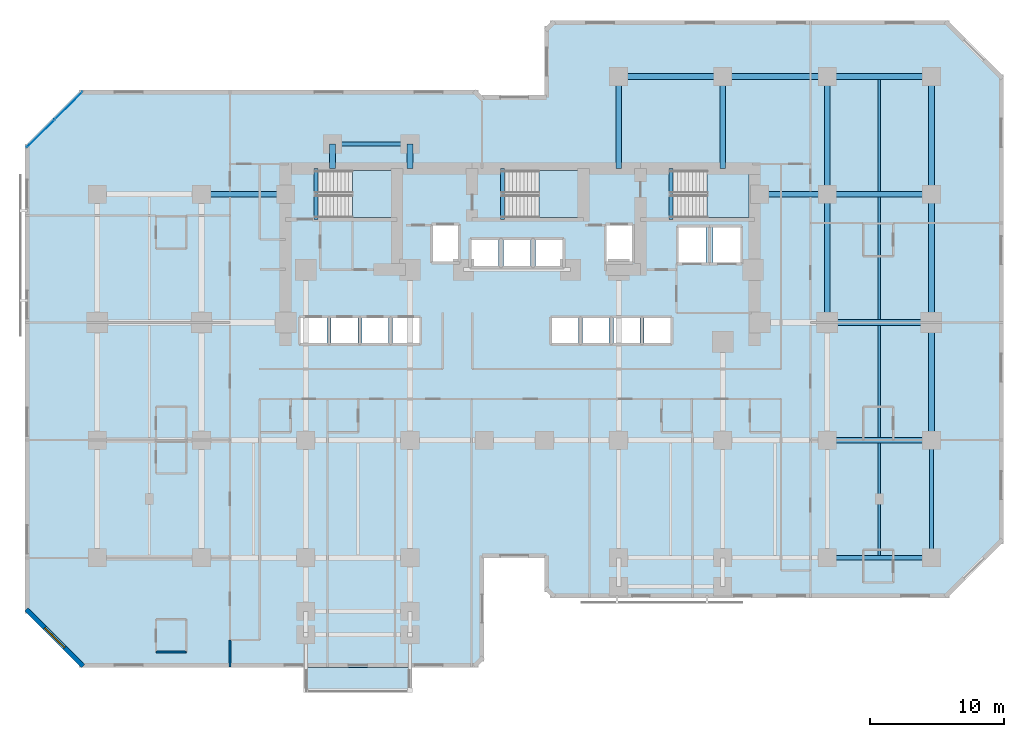
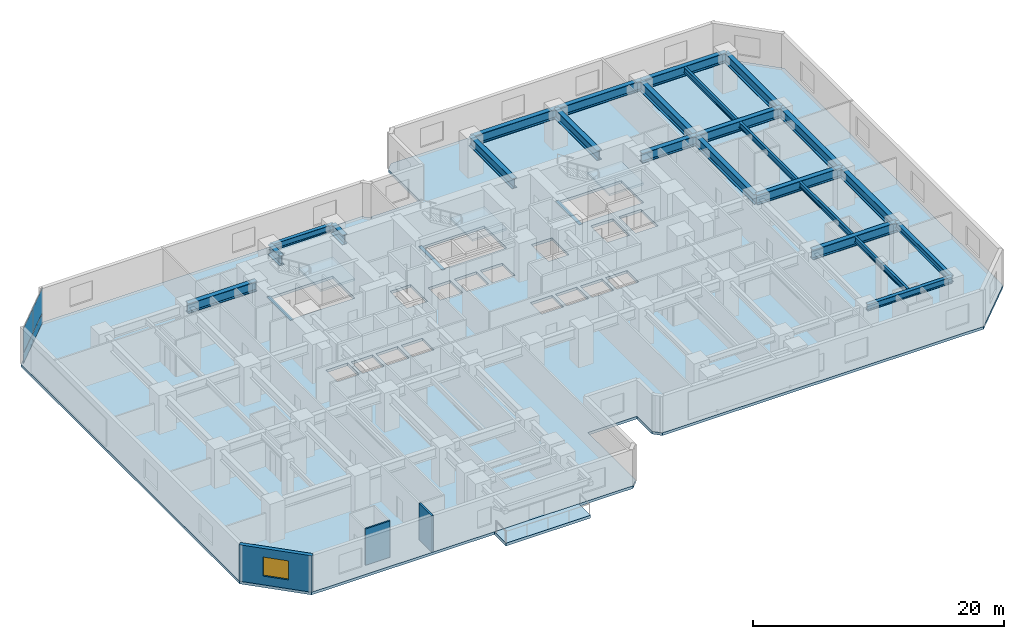
# One storey, part 4 of 12: 27 beams, 5 slabs, 4 plates, 3 walls, 1 window, 1 opening, 4 elements without a shape of their own.
"""IFC4 building model written with IfcOpenShell, lengths in metres."""

from ifc_helpers import new_model, si_unit, direction, frame, frame_2d, origin, origin_2d, place, context, subcontext, project, spatial, polyline, rectangle, i_section, outline, extrude, material, layer, layer_set, material_profile, profile_set, type_object, element, fill, aggregate, save


model = new_model("IFC4")

# Units and contexts
model_context = context("Model", 3, precision=1e-05, world=origin(), true_north=direction((0.0, 1.0)))
body_context = subcontext(model_context, "Body", "Model", "MODEL_VIEW")
ifc_project = project(units=[si_unit("LENGTHUNIT", "METRE"), si_unit("AREAUNIT", "SQUARE_METRE"), si_unit("VOLUMEUNIT", "CUBIC_METRE"), si_unit("PLANEANGLEUNIT", "RADIAN"), si_unit("MASSUNIT", "GRAM", prefix="KILO")], contexts=[model_context])

# Site, building, storey
site_placement = place(None, origin())
site = spatial("IfcSite", under=ifc_project, at=site_placement, CompositionType="ELEMENT")
building_placement = place(site_placement, origin())
building = spatial("IfcBuilding", under=site, at=building_placement, Name="Kestravale Grand Hotel", CompositionType="ELEMENT")
storey_placement = place(building_placement, frame((0.0, 0.0, 64.0)))
storey = spatial("IfcBuildingStorey", under=building, at=storey_placement, Name="L15", CompositionType="ELEMENT", Elevation=64.0)

# Beams
ifc_material_1 = material(Name="Steel ASTM A992 Grade 50", Category="steel")
ifc_material_profile_1 = material_profile(ifc_material_1, i_section(OverallWidth=0.2099609375, OverallDepth=0.535888671875, WebThickness=0.010986328125, FlangeThickness=0.017333984375, FilletRadius=0.017578125, at=origin_2d()))
ifc_profile_set_1 = profile_set([ifc_material_profile_1], Name="Steel ASTM A992 Grade 50")
beam_type_1 = type_object("IfcBeamType", Name="B-FLR-JST21", PredefinedType="JOIST", material=ifc_profile_set_1)
beam_1_placement = place(storey_placement, frame((66.300048828125, 11.362548828125, 3.27197265625), z_axis=(0.0, 1.0, 0.0), x_axis=(-1.0, 0.0, 0.0)))
element("IfcBeam", 1, at=beam_1_placement, inside=storey, type_object=beam_type_1, Name="L15 floor joist 10-11/C-D #1", PredefinedType="JOIST", context=body_context, shape_type="SweptSolid", body=[
    extrude(i_section(OverallWidth=0.2099609375, OverallDepth=0.535888671875, WebThickness=0.010986328125, FlangeThickness=0.017333984375, FilletRadius=0.017578125, at=origin_2d()), origin(), (0.0, 0.0, 1.0), 8.425537109375),
])
beam_2_placement = place(storey_placement, frame((66.300048828125, 20.2119140625, 3.27197265625), z_axis=(0.0, 1.0, 0.0), x_axis=(-1.0, 0.0, 0.0)))
element("IfcBeam", 2, at=beam_2_placement, inside=storey, type_object=beam_type_1, Name="L15 floor joist 10-11/D-E #1", PredefinedType="JOIST", context=body_context, shape_type="SweptSolid", body=[
    extrude(i_section(OverallWidth=0.2099609375, OverallDepth=0.535888671875, WebThickness=0.010986328125, FlangeThickness=0.017333984375, FilletRadius=0.017578125, at=origin_2d()), origin(), (0.0, 0.0, 1.0), 8.3759765625),
])
beam_3_placement = place(storey_placement, frame((66.300048828125, 29.011962890625, 3.27197265625), z_axis=(0.0, 1.0, 0.0), x_axis=(-1.0, 0.0, 0.0)))
element("IfcBeam", 3, at=beam_3_placement, inside=storey, type_object=beam_type_1, Name="L15 floor joist 10-11/E-F #1", PredefinedType="JOIST", context=body_context, shape_type="SweptSolid", body=[
    extrude(i_section(OverallWidth=0.2099609375, OverallDepth=0.535888671875, WebThickness=0.010986328125, FlangeThickness=0.017333984375, FilletRadius=0.017578125, at=origin_2d()), origin(), (0.0, 0.0, 1.0), 9.176025390625),
])
beam_4_placement = place(storey_placement, frame((66.300048828125, 38.612060546875, 3.27197265625), z_axis=(0.0, 1.0, 0.0), x_axis=(-1.0, 0.0, 0.0)))
element("IfcBeam", 4, at=beam_4_placement, inside=storey, type_object=beam_type_1, Name="L15 floor joist 10-11/F-G #1", PredefinedType="JOIST", context=body_context, shape_type="SweptSolid", body=[
    extrude(i_section(OverallWidth=0.2099609375, OverallDepth=0.535888671875, WebThickness=0.010986328125, FlangeThickness=0.017333984375, FilletRadius=0.017578125, at=origin_2d()), origin(), (0.0, 0.0, 1.0), 8.3759765625),
])
ifc_material_2 = material(Name="Concrete f'c 45 MPa", Category="concrete")
ifc_material_profile_2 = material_profile(ifc_material_2, rectangle(XDim=0.300048828125, YDim=0.39990234375, at=origin_2d()))
ifc_profile_set_2 = profile_set([ifc_material_profile_2], Name="Concrete f'c 45 MPa")
beam_type_2 = type_object("IfcBeamType", Name="B-FLR-LNT400", PredefinedType="LINTEL", material=ifc_profile_set_2)
for number, where, z_axis, x_axis, name in (
    (5, (24.159912109375, 36.52001953125, -0.199951171875), (0.0, 1.0, 0.0), (-1.0, 0.0, 0.0), "L15 ST1 flight bottom header beam"),
    (6, (38.110107421875, 36.52001953125, -0.199951171875), (0.0, 1.0, 0.0), (-1.0, 0.0, 0.0), "L15 ST2 flight bottom header beam"),
    (7, (50.7099609375, 36.52001953125, -0.199951171875), (0.0, 1.0, 0.0), (-1.0, 0.0, 0.0), "L15 ST3 flight bottom header beam"),
):
    element("IfcBeam", number, at=place(storey_placement, frame(where, z_axis=z_axis, x_axis=x_axis)), inside=storey, type_object=beam_type_2, Name=name, PredefinedType="LINTEL", context=body_context, shape_type="SweptSolid", body=[
        extrude(rectangle(XDim=0.300048828125, YDim=0.39990234375, at=origin_2d()), origin(), (0.0, 0.0, 1.0), 3.800048828125),
    ])
ifc_material_3 = material(Name="Steel ASTM A992 Grade 50", Category="steel")
ifc_material_profile_3 = material_profile(ifc_material_3, i_section(OverallWidth=0.324951171875, OverallDepth=0.612060546875, WebThickness=0.0126953125, FlangeThickness=0.01904296875, FilletRadius=0.018798828125, at=origin_2d()))
ifc_profile_set_3 = profile_set([ifc_material_profile_3], Name="Steel ASTM A992 Grade 50")
beam_type_3 = type_object("IfcBeamType", Name="B-FLR-W24A", PredefinedType="SPANDREL", material=ifc_profile_set_3)
beam_5_placement = place(storey_placement, frame((62.39990234375, 11.199951171875, 3.23388671875), z_axis=(1.0, 0.0, 0.0), x_axis=(0.0, 1.0, 0.0)))
element("IfcBeam", 8, at=beam_5_placement, inside=storey, type_object=beam_type_3, Name="L15 spandrel C:10-11", PredefinedType="SPANDREL", context=body_context, shape_type="SweptSolid", body=[
    extrude(i_section(OverallWidth=0.324951171875, OverallDepth=0.612060546875, WebThickness=0.0126953125, FlangeThickness=0.01904296875, FilletRadius=0.018798828125, at=origin_2d()), origin(), (0.0, 0.0, 1.0), 7.800048828125),
])
beam_6_placement = place(storey_placement, frame((25.39990234375, 42.14990234375, 3.23388671875), z_axis=(1.0, 0.0, 0.0), x_axis=(0.0, 1.0, 0.0)))
element("IfcBeam", 9, at=beam_6_placement, inside=storey, type_object=beam_type_3, Name="L15 perimeter tie spandrel FN:4-5", PredefinedType="SPANDREL", context=body_context, shape_type="SweptSolid", body=[
    extrude(i_section(OverallWidth=0.324951171875, OverallDepth=0.612060546875, WebThickness=0.0126953125, FlangeThickness=0.01904296875, FilletRadius=0.018798828125, at=origin_2d()), origin(), (0.0, 0.0, 1.0), 5.800048828125),
])
beam_7_placement = place(storey_placement, frame((70.199951171875, 11.199951171875, 3.23388671875), z_axis=(0.0, 1.0, 0.0), x_axis=(-1.0, 0.0, 0.0)))
element("IfcBeam", 10, at=beam_7_placement, inside=storey, type_object=beam_type_3, Name="L15 spandrel 11:C-D", PredefinedType="SPANDREL", context=body_context, shape_type="SweptSolid", body=[
    extrude(i_section(OverallWidth=0.324951171875, OverallDepth=0.612060546875, WebThickness=0.0126953125, FlangeThickness=0.01904296875, FilletRadius=0.018798828125, at=origin_2d()), origin(), (0.0, 0.0, 1.0), 8.800048828125),
])
ifc_material_4 = material(Name="Steel ASTM A992 Grade 50", Category="steel")
ifc_material_profile_4 = material_profile(ifc_material_4, i_section(OverallWidth=0.424072265625, OverallDepth=0.947021484375, WebThickness=0.02392578125, FlangeThickness=0.042724609375, FilletRadius=0.0283203125, at=origin_2d()))
ifc_profile_set_4 = profile_set([ifc_material_profile_4], Name="Steel ASTM A992 Grade 50")
beam_type_4 = type_object("IfcBeamType", Name="B-GRD-W36", PredefinedType="BEAM", material=ifc_profile_set_4)
for number, where, z_axis, x_axis, name in (
    (11, (62.39990234375, 20.0, 3.06640625), (1.0, 0.0, 0.0), (0.0, 1.0, 0.0), "L15 girder D:10-11"),
    (12, (62.39990234375, 28.800048828125, 3.06640625), (1.0, 0.0, 0.0), (0.0, 1.0, 0.0), "L15 girder E:10-11"),
):
    element("IfcBeam", number, at=place(storey_placement, frame(where, z_axis=z_axis, x_axis=x_axis)), inside=storey, type_object=beam_type_4, Name=name, PredefinedType="BEAM", context=body_context, shape_type="SweptSolid", body=[
        extrude(i_section(OverallWidth=0.424072265625, OverallDepth=0.947021484375, WebThickness=0.02392578125, FlangeThickness=0.042724609375, FilletRadius=0.0283203125, at=origin_2d()), origin(), (0.0, 0.0, 1.0), 7.800048828125),
    ])
beam_8_placement = place(storey_placement, frame((15.60009765625, 38.39990234375, 3.06640625), z_axis=(1.0, 0.0, 0.0), x_axis=(0.0, 1.0, 0.0)))
element("IfcBeam", 13, at=beam_8_placement, inside=storey, type_object=beam_type_4, Name="L15 girder F:3-CW", PredefinedType="BEAM", context=body_context, shape_type="SweptSolid", body=[
    extrude(i_section(OverallWidth=0.424072265625, OverallDepth=0.947021484375, WebThickness=0.02392578125, FlangeThickness=0.042724609375, FilletRadius=0.0283203125, at=origin_2d()), origin(), (0.0, 0.0, 1.0), 6.2998046875),
])
beam_9_placement = place(storey_placement, frame((57.35009765625, 38.39990234375, 3.06640625), z_axis=(1.0, 0.0, 0.0), x_axis=(0.0, 1.0, 0.0)))
element("IfcBeam", 14, at=beam_9_placement, inside=storey, type_object=beam_type_4, Name="L15 girder F:CE-10", PredefinedType="BEAM", context=body_context, shape_type="SweptSolid", body=[
    extrude(i_section(OverallWidth=0.424072265625, OverallDepth=0.947021484375, WebThickness=0.02392578125, FlangeThickness=0.042724609375, FilletRadius=0.0283203125, at=origin_2d()), origin(), (0.0, 0.0, 1.0), 5.0498046875),
])
for number, where, z_axis, x_axis, name in (
    (15, (62.39990234375, 38.39990234375, 3.06640625), (1.0, 0.0, 0.0), (0.0, 1.0, 0.0), "L15 girder F:10-11"),
    (16, (46.800048828125, 47.199951171875, 3.06640625), (1.0, 0.0, 0.0), (0.0, 1.0, 0.0), "L15 girder G:8-9"),
):
    element("IfcBeam", number, at=place(storey_placement, frame(where, z_axis=z_axis, x_axis=x_axis)), inside=storey, type_object=beam_type_4, Name=name, PredefinedType="BEAM", context=body_context, shape_type="SweptSolid", body=[
        extrude(i_section(OverallWidth=0.424072265625, OverallDepth=0.947021484375, WebThickness=0.02392578125, FlangeThickness=0.042724609375, FilletRadius=0.0283203125, at=origin_2d()), origin(), (0.0, 0.0, 1.0), 7.800048828125),
    ])
beam_10_placement = place(storey_placement, frame((54.60009765625, 47.199951171875, 3.06640625), z_axis=(1.0, 0.0, 0.0), x_axis=(0.0, 1.0, 0.0)))
element("IfcBeam", 17, at=beam_10_placement, inside=storey, type_object=beam_type_4, Name="L15 girder G:9-10", PredefinedType="BEAM", context=body_context, shape_type="SweptSolid", body=[
    extrude(i_section(OverallWidth=0.424072265625, OverallDepth=0.947021484375, WebThickness=0.02392578125, FlangeThickness=0.042724609375, FilletRadius=0.0283203125, at=origin_2d()), origin(), (0.0, 0.0, 1.0), 7.7998046875),
])
beam_11_placement = place(storey_placement, frame((62.39990234375, 47.199951171875, 3.06640625), z_axis=(1.0, 0.0, 0.0), x_axis=(0.0, 1.0, 0.0)))
element("IfcBeam", 18, at=beam_11_placement, inside=storey, type_object=beam_type_4, Name="L15 girder G:10-11", PredefinedType="BEAM", context=body_context, shape_type="SweptSolid", body=[
    extrude(i_section(OverallWidth=0.424072265625, OverallDepth=0.947021484375, WebThickness=0.02392578125, FlangeThickness=0.042724609375, FilletRadius=0.0283203125, at=origin_2d()), origin(), (0.0, 0.0, 1.0), 7.800048828125),
])
beam_12_placement = place(storey_placement, frame((62.39990234375, 28.800048828125, 3.06640625), z_axis=(0.0, 1.0, 0.0), x_axis=(-1.0, 0.0, 0.0)))
element("IfcBeam", 19, at=beam_12_placement, inside=storey, type_object=beam_type_4, Name="L15 girder 10:E-F", PredefinedType="BEAM", context=body_context, shape_type="SweptSolid", body=[
    extrude(i_section(OverallWidth=0.424072265625, OverallDepth=0.947021484375, WebThickness=0.02392578125, FlangeThickness=0.042724609375, FilletRadius=0.0283203125, at=origin_2d()), origin(), (0.0, 0.0, 1.0), 9.599853515625),
])
for number, where, z_axis, x_axis, name in (
    (20, (62.39990234375, 38.39990234375, 3.06640625), (0.0, 1.0, 0.0), (-1.0, 0.0, 0.0), "L15 girder 10:F-G"),
    (21, (70.199951171875, 20.0, 3.06640625), (0.0, 1.0, 0.0), (-1.0, 0.0, 0.0), "L15 girder 11:D-E"),
):
    element("IfcBeam", number, at=place(storey_placement, frame(where, z_axis=z_axis, x_axis=x_axis)), inside=storey, type_object=beam_type_4, Name=name, PredefinedType="BEAM", context=body_context, shape_type="SweptSolid", body=[
        extrude(i_section(OverallWidth=0.424072265625, OverallDepth=0.947021484375, WebThickness=0.02392578125, FlangeThickness=0.042724609375, FilletRadius=0.0283203125, at=origin_2d()), origin(), (0.0, 0.0, 1.0), 8.800048828125),
    ])
beam_13_placement = place(storey_placement, frame((70.199951171875, 28.800048828125, 3.06640625), z_axis=(0.0, 1.0, 0.0), x_axis=(-1.0, 0.0, 0.0)))
element("IfcBeam", 22, at=beam_13_placement, inside=storey, type_object=beam_type_4, Name="L15 girder 11:E-F", PredefinedType="BEAM", context=body_context, shape_type="SweptSolid", body=[
    extrude(i_section(OverallWidth=0.424072265625, OverallDepth=0.947021484375, WebThickness=0.02392578125, FlangeThickness=0.042724609375, FilletRadius=0.0283203125, at=origin_2d()), origin(), (0.0, 0.0, 1.0), 9.599853515625),
])
beam_14_placement = place(storey_placement, frame((70.199951171875, 38.39990234375, 3.06640625), z_axis=(0.0, 1.0, 0.0), x_axis=(-1.0, 0.0, 0.0)))
element("IfcBeam", 23, at=beam_14_placement, inside=storey, type_object=beam_type_4, Name="L15 girder 11:F-G", PredefinedType="BEAM", context=body_context, shape_type="SweptSolid", body=[
    extrude(i_section(OverallWidth=0.424072265625, OverallDepth=0.947021484375, WebThickness=0.02392578125, FlangeThickness=0.042724609375, FilletRadius=0.0283203125, at=origin_2d()), origin(), (0.0, 0.0, 1.0), 8.800048828125),
])
for number, where, z_axis, x_axis, name in (
    (24, (25.39990234375, 40.320068359375, 3.06640625), (0.0, 1.0, 0.0), (-1.0, 0.0, 0.0), "L15 north wing tie girder 4:CN-FN"),
    (25, (31.199951171875, 40.320068359375, 3.06640625), (0.0, 1.0, 0.0), (-1.0, 0.0, 0.0), "L15 north wing tie girder 5:CN-FN"),
):
    element("IfcBeam", number, at=place(storey_placement, frame(where, z_axis=z_axis, x_axis=x_axis)), inside=storey, type_object=beam_type_4, Name=name, PredefinedType="BEAM", context=body_context, shape_type="SweptSolid", body=[
        extrude(i_section(OverallWidth=0.424072265625, OverallDepth=0.947021484375, WebThickness=0.02392578125, FlangeThickness=0.042724609375, FilletRadius=0.0283203125, at=origin_2d()), origin(), (0.0, 0.0, 1.0), 1.829833984375),
    ])
for number, where, z_axis, x_axis, name in (
    (26, (46.800048828125, 40.320068359375, 3.06640625), (0.0, 1.0, 0.0), (-1.0, 0.0, 0.0), "L15 north wing tie girder 8:CN-G"),
    (27, (54.60009765625, 40.320068359375, 3.06640625), (0.0, 1.0, 0.0), (-1.0, 0.0, 0.0), "L15 north wing tie girder 9:CN-G"),
):
    element("IfcBeam", number, at=place(storey_placement, frame(where, z_axis=z_axis, x_axis=x_axis)), inside=storey, type_object=beam_type_4, Name=name, PredefinedType="BEAM", context=body_context, shape_type="SweptSolid", body=[
        extrude(i_section(OverallWidth=0.424072265625, OverallDepth=0.947021484375, WebThickness=0.02392578125, FlangeThickness=0.042724609375, FilletRadius=0.0283203125, at=origin_2d()), origin(), (0.0, 0.0, 1.0), 6.8798828125),
    ])

# Curtain wall, plates
ifc_material_5 = material(Name="Thermally broken champagne-bronze aluminium and low-E glazing", Category="aluminium")
ifc_layer_1 = layer(ifc_material_5, 0.199951171875)
ifc_layer_set_1 = layer_set([ifc_layer_1], Name="CW-Z1")
curtain_wall_type = type_object("IfcCurtainWallType", Name="CW-Z1", PredefinedType="NOTDEFINED", material=ifc_layer_set_1)
curtain_wall_placement = place(storey_placement, origin())
curtain_wall = element("IfcCurtainWall", 28, at=curtain_wall_placement, inside=storey, type_object=curtain_wall_type, Name="L15 unitised curtain wall 18", PredefinedType="NOTDEFINED")
ifc_material_6 = material(Name="Insulated clear low-E double glazing IGU", Category="glass")
ifc_layer_2 = layer(ifc_material_6, 0.035888671875)
ifc_layer_set_2 = layer_set([ifc_layer_2], Name="CW-PNL-36")
plate_type = type_object("IfcPlateType", Name="CW-PNL-36", PredefinedType="CURTAIN_PANEL", material=ifc_layer_set_2)
plate_1_placement = place(storey_placement, frame((5.6640625, 45.023681640625, 0.074951171875), z_axis=(0.0, 0.0, 1.0), x_axis=(-0.707106781187, -0.707106781187, 0.0)))
plate_1 = element("IfcPlate", 29, at=plate_1_placement, type_object=plate_type, Name="CW-Z1 panel 1.1", PredefinedType="CURTAIN_PANEL", context=body_context, shape_type="SweptSolid", body=[
    extrude(rectangle(XDim=2.87744140625, YDim=0.035888671875, at=origin_2d()), origin(), (0.0, 0.0, 1.0), 0.9375),
])
plate_2_placement = place(storey_placement, frame((5.6640625, 45.023681640625, 1.087646484375), z_axis=(0.0, 0.0, 1.0), x_axis=(-0.707106781187, -0.707106781187, 0.0)))
plate_2 = element("IfcPlate", 30, at=plate_2_placement, type_object=plate_type, Name="CW-Z1 panel 1.2", PredefinedType="CURTAIN_PANEL", context=body_context, shape_type="SweptSolid", body=[
    extrude(rectangle(XDim=2.87744140625, YDim=0.035888671875, at=origin_2d()), origin(), (0.0, 0.0, 1.0), 2.37744140625),
])
plate_3_placement = place(storey_placement, frame((3.576416015625, 42.93603515625, 0.074951171875), z_axis=(0.0, 0.0, 1.0), x_axis=(-0.707106781187, -0.707106781187, 0.0)))
plate_3 = element("IfcPlate", 31, at=plate_3_placement, type_object=plate_type, Name="CW-Z1 panel 2.1", PredefinedType="CURTAIN_PANEL", context=body_context, shape_type="SweptSolid", body=[
    extrude(rectangle(XDim=2.87744140625, YDim=0.035888671875, at=origin_2d()), origin(), (0.0, 0.0, 1.0), 0.9375),
])
plate_4_placement = place(storey_placement, frame((3.576416015625, 42.93603515625, 1.087646484375), z_axis=(0.0, 0.0, 1.0), x_axis=(-0.707106781187, -0.707106781187, 0.0)))
plate_4 = element("IfcPlate", 32, at=plate_4_placement, type_object=plate_type, Name="CW-Z1 panel 2.2", PredefinedType="CURTAIN_PANEL", context=body_context, shape_type="SweptSolid", body=[
    extrude(rectangle(XDim=2.87744140625, YDim=0.035888671875, at=origin_2d()), origin(), (0.0, 0.0, 1.0), 2.37744140625),
])
aggregate(curtain_wall, [plate_1, plate_2, plate_3, plate_4])

# Slab
ifc_material_7 = material(Name="Concrete f'c 45 MPa", Category="concrete")
ifc_layer_3 = layer(ifc_material_7, 0.27001953125)
ifc_layer_set_3 = layer_set([ifc_layer_3], Name="ES-TERR-270")
slab_type_1 = type_object("IfcSlabType", Name="ES-TERR-270", PredefinedType="FLOOR", material=ifc_layer_set_3)
slab_1_placement = place(storey_placement, frame((0.0, 0.0, -0.27001953125)))
element("IfcSlab", 33, at=slab_1_placement, inside=storey, type_object=slab_type_1, Name="L15 spiralling planted garden terrace", PredefinedType="FLOOR", context=body_context, shape_type="SweptSolid", body=[
    extrude(outline(polyline([(23.39990234375, 1.14990234375), (31.199951171875, 1.14990234375), (31.199951171875, 3.0), (23.39990234375, 3.0), (23.39990234375, 1.14990234375)])), origin(), (0.0, 0.0, 1.0), 0.27001953125),
])

# Stair, slab
ifc_material_8 = material(Name="Concrete f'c 45 MPa", Category="concrete")
stair_type = type_object("IfcStairType", Name="ST-CORE-380", PredefinedType="HALF_TURN_STAIR", material=ifc_material_8)
stair_1_placement = place(storey_placement, origin())
stair_1 = element("IfcStair", 34, at=stair_1_placement, inside=storey, type_object=stair_type, Name="L15 ST-1", PredefinedType="HALF_TURN_STAIR")
ifc_material_9 = material(Name="Concrete f'c 45 MPa", Category="concrete")
ifc_layer_4 = layer(ifc_material_9, 0.199951171875)
ifc_layer_set_4 = layer_set([ifc_layer_4], Name="SLB-ST-LND200")
slab_type_2 = type_object("IfcSlabType", Name="SLB-ST-LND200", PredefinedType="LANDING", material=ifc_layer_set_4)
slab_2_placement = place(storey_placement, frame((0.0, 0.0, 1.699951171875)))
slab_2 = element("IfcSlab", 35, at=slab_2_placement, type_object=slab_type_2, Name="ST-1 landing 1", PredefinedType="LANDING", context=body_context, shape_type="SweptSolid", body=[
    extrude(outline(polyline([(26.8798828125, 36.64990234375), (30.0, 36.64990234375), (30.0, 40.159912109375), (26.8798828125, 40.159912109375), (26.8798828125, 36.64990234375)])), origin(), (0.0, 0.0, 1.0), 0.199951171875),
])
aggregate(stair_1, [slab_2])

stair_2_placement = place(storey_placement, origin())
stair_2 = element("IfcStair", 36, at=stair_2_placement, inside=storey, type_object=stair_type, Name="L15 ST-2", PredefinedType="HALF_TURN_STAIR")
slab_3_placement = place(storey_placement, frame((0.0, 0.0, 1.699951171875)))
slab_3 = element("IfcSlab", 37, at=slab_3_placement, type_object=slab_type_2, Name="ST-2 landing 1", PredefinedType="LANDING", context=body_context, shape_type="SweptSolid", body=[
    extrude(outline(polyline([(40.830078125, 36.64990234375), (43.949951171875, 36.64990234375), (43.949951171875, 40.159912109375), (40.830078125, 40.159912109375), (40.830078125, 36.64990234375)])), origin(), (0.0, 0.0, 1.0), 0.199951171875),
])
aggregate(stair_2, [slab_3])

stair_3_placement = place(storey_placement, origin())
stair_3 = element("IfcStair", 38, at=stair_3_placement, inside=storey, type_object=stair_type, Name="L15 ST-3", PredefinedType="HALF_TURN_STAIR")
slab_4_placement = place(storey_placement, frame((0.0, 0.0, 1.699951171875)))
slab_4 = element("IfcSlab", 39, at=slab_4_placement, type_object=slab_type_2, Name="ST-3 landing 1", PredefinedType="LANDING", context=body_context, shape_type="SweptSolid", body=[
    extrude(outline(polyline([(53.429931640625, 36.64990234375), (56.550048828125, 36.64990234375), (56.550048828125, 40.159912109375), (53.429931640625, 40.159912109375), (53.429931640625, 36.64990234375)])), origin(), (0.0, 0.0, 1.0), 0.199951171875),
])
aggregate(stair_3, [slab_4])

# Slab
ifc_material_10 = material(Name="Concrete f'c 45 MPa", Category="concrete")
ifc_layer_5 = layer(ifc_material_10, 0.260009765625)
ifc_layer_set_5 = layer_set([ifc_layer_5], Name="SS-FLR-260")
slab_type_3 = type_object("IfcSlabType", Name="SS-FLR-260", PredefinedType="FLOOR", material=ifc_layer_set_5)
slab_5_placement = place(storey_placement, frame((0.0, 0.0, -0.260009765625)))
element("IfcSlab", 40, at=slab_5_placement, inside=storey, type_object=slab_type_3, Name="L15 structural floor slab", PredefinedType="FLOOR", context=body_context, shape_type="SweptSolid", body=[
    extrude(outline(polyline([(6.60009765625, 3.0), (36.14990234375, 3.0), (36.75, 3.60009765625), (36.75, 11.199951171875), (41.25, 11.199951171875), (41.25, 8.800048828125), (41.85009765625, 8.199951171875), (71.39990234375, 8.199951171875), (75.60009765625, 12.39990234375), (75.60009765625, 47.199951171875), (71.39990234375, 51.39990234375), (41.85009765625, 51.39990234375), (41.25, 50.800048828125), (41.25, 45.800048828125), (36.75, 45.800048828125), (36.75, 45.60009765625), (36.14990234375, 46.199951171875), (6.60009765625, 46.199951171875), (2.39990234375, 42.0), (2.39990234375, 7.199951171875), (6.60009765625, 3.0)]), holes=[polyline([(24.080078125, 36.64990234375), (30.0, 36.64990234375), (30.0, 40.159912109375), (24.080078125, 40.159912109375), (24.080078125, 36.64990234375)]), polyline([(38.030029296875, 36.64990234375), (43.949951171875, 36.64990234375), (43.949951171875, 40.159912109375), (38.030029296875, 40.159912109375), (38.030029296875, 36.64990234375)]), polyline([(50.6298828125, 36.64990234375), (56.550048828125, 36.64990234375), (56.550048828125, 40.159912109375), (50.6298828125, 40.159912109375), (50.6298828125, 36.64990234375)]), polyline([(23.0048828125, 27.280029296875), (24.9951171875, 27.280029296875), (24.9951171875, 29.1201171875), (23.0048828125, 29.1201171875), (23.0048828125, 27.280029296875)]), polyline([(25.304931640625, 27.280029296875), (27.294921875, 27.280029296875), (27.294921875, 29.1201171875), (25.304931640625, 29.1201171875), (25.304931640625, 27.280029296875)]), polyline([(27.60498046875, 27.280029296875), (29.594970703125, 27.280029296875), (29.594970703125, 29.1201171875), (27.60498046875, 29.1201171875), (27.60498046875, 27.280029296875)]), polyline([(29.905029296875, 27.280029296875), (31.89501953125, 27.280029296875), (31.89501953125, 29.1201171875), (29.905029296875, 29.1201171875), (29.905029296875, 27.280029296875)]), polyline([(41.804931640625, 27.280029296875), (43.794921875, 27.280029296875), (43.794921875, 29.1201171875), (41.804931640625, 29.1201171875), (41.804931640625, 27.280029296875)]), polyline([(44.10498046875, 27.280029296875), (46.094970703125, 27.280029296875), (46.094970703125, 29.1201171875), (44.10498046875, 29.1201171875), (44.10498046875, 27.280029296875)]), polyline([(46.405029296875, 27.280029296875), (48.39501953125, 27.280029296875), (48.39501953125, 29.1201171875), (46.405029296875, 29.1201171875), (46.405029296875, 27.280029296875)]), polyline([(48.705078125, 27.280029296875), (50.695068359375, 27.280029296875), (50.695068359375, 29.1201171875), (48.705078125, 29.1201171875), (48.705078125, 27.280029296875)]), polyline([(35.780029296875, 33.030029296875), (37.820068359375, 33.030029296875), (37.820068359375, 34.969970703125), (35.780029296875, 34.969970703125), (35.780029296875, 33.030029296875)]), polyline([(38.179931640625, 33.030029296875), (40.219970703125, 33.030029296875), (40.219970703125, 34.969970703125), (38.179931640625, 34.969970703125), (38.179931640625, 33.030029296875)]), polyline([(40.580078125, 33.030029296875), (42.6201171875, 33.030029296875), (42.6201171875, 34.969970703125), (40.580078125, 34.969970703125), (40.580078125, 33.030029296875)]), polyline([(32.905029296875, 33.35498046875), (34.794921875, 33.35498046875), (34.794921875, 36.044921875), (32.905029296875, 36.044921875), (32.905029296875, 33.35498046875)]), polyline([(45.905029296875, 33.35498046875), (47.794921875, 33.35498046875), (47.794921875, 36.044921875), (45.905029296875, 36.044921875), (45.905029296875, 33.35498046875)]), polyline([(51.280029296875, 33.280029296875), (53.320068359375, 33.280029296875), (53.320068359375, 35.919921875), (51.280029296875, 35.919921875), (51.280029296875, 33.280029296875)]), polyline([(53.8798828125, 33.280029296875), (55.919921875, 33.280029296875), (55.919921875, 35.919921875), (53.8798828125, 35.919921875), (53.8798828125, 33.280029296875)])]), origin(), (0.0, 0.0, 1.0), 0.260009765625),
])

# Wall, opening, window
ifc_material_11 = material(Name="Precast concrete f'c 45 MPa", Category="concrete")
ifc_layer_6 = layer(ifc_material_11, 0.340087890625)
ifc_layer_set_6 = layer_set([ifc_layer_6], Name="EW-PREC-340")
wall_type_1 = type_object("IfcWallType", Name="EW-PREC-340", PredefinedType="SOLIDWALL", material=ifc_layer_set_6)
wall_1_placement = place(storey_placement, frame((2.491943359375, 7.348388671875, 0.0), z_axis=(0.0, 0.0, 1.0), x_axis=(0.707106781187, -0.707106781187, 0.0)))
wall_1 = element("IfcWall", 41, at=wall_1_placement, inside=storey, type_object=wall_type_1, Name="L15 fluted precast facade wall 20", PredefinedType="SOLIDWALL", context=body_context, shape_type="SweptSolid", body=[
    extrude(rectangle(XDim=6.019775390625, YDim=0.340087890625, at=frame_2d((3.009765625, 0.0))), origin(), (0.0, 0.0, 1.0), 3.5400390625),
])
opening_placement = place(wall_1_placement, frame((1.9599609375, 0.0, 0.85009765625)))
opening = element("IfcOpeningElement", 42, at=opening_placement, cuts=wall_1, Name="Opening W-GUEST-2100", PredefinedType="OPENING", context=body_context, shape_type="SweptSolid", body=[
    extrude(rectangle(XDim=2.10009765625, YDim=1.85009765625, at=frame_2d((1.050048828125, 0.925048828125))), frame((0.0, 0.179931640625, 0.0), z_axis=(0.0, -1.0, 0.0), x_axis=(1.0, 0.0, 0.0)), (0.0, 0.0, 1.0), 0.360107421875),
])
ifc_material_12 = material(Name="Insulated low-E double glazing in aluminium frame", Category="aluminium")
window_type = type_object("IfcWindowType", Name="W-GUEST-2100", PartitioningType="DOUBLE_PANEL_VERTICAL", PredefinedType="WINDOW", material=ifc_material_12)
window_placement = place(opening_placement, origin())
window = element("IfcWindow", 43, at=window_placement, inside=storey, type_object=window_type, Name="L15 exterior window 20.1", OverallHeight=1.85009765625, OverallWidth=2.10009765625, PartitioningType="SINGLE_PANEL", PredefinedType="WINDOW", context=body_context, shape_type="SweptSolid", body=[
    extrude(rectangle(XDim=2.10009765625, YDim=1.85009765625, at=frame_2d((1.050048828125, 0.925048828125))), frame((0.0, 0.030029296875, 0.0), z_axis=(0.0, -1.0, 0.0), x_axis=(1.0, 0.0, 0.0)), (0.0, 0.0, 1.0), 0.06005859375),
])
fill(opening, window)

# Walls
ifc_material_13 = material(Name="Moisture-resistant tile-backer plumbing chase wall", Category="other")
ifc_layer_7 = layer(ifc_material_13, 0.139892578125)
ifc_layer_set_7 = layer_set([ifc_layer_7], Name="IW-PLB-140")
wall_type_2 = type_object("IfcWallType", Name="IW-PLB-140", PredefinedType="PLUMBINGWALL", material=ifc_layer_set_7)
wall_2_placement = place(storey_placement, frame((12.199951171875, 4.14990234375, 0.0), z_axis=(0.0, 0.0, 1.0), x_axis=(1.0, 0.0, 0.0)))
element("IfcWall", 44, at=wall_2_placement, inside=storey, type_object=wall_type_2, Name="W-L15-U05-BS", PredefinedType="PLUMBINGWALL", context=body_context, shape_type="SweptSolid", body=[
    extrude(rectangle(XDim=2.25, YDim=0.139892578125, at=frame_2d((1.125, 0.0))), origin(), (0.0, 0.0, 1.0), 3.5400390625),
])
ifc_material_14 = material(Name="Double-stud STC 52 acoustic demising partition", Category="other")
ifc_layer_8 = layer(ifc_material_14, 0.14990234375)
ifc_layer_set_8 = layer_set([ifc_layer_8], Name="IW-UNIT-150")
wall_type_3 = type_object("IfcWallType", Name="IW-UNIT-150", PredefinedType="PARTITIONING", material=ifc_layer_set_8)
wall_3_placement = place(storey_placement, frame((17.739990234375, 3.02001953125, 0.0), z_axis=(0.0, 0.0, 1.0), x_axis=(0.0, 1.0, 0.0)))
element("IfcWall", 45, at=wall_3_placement, inside=storey, type_object=wall_type_3, Name="W-L15-SW-EXT", PredefinedType="PARTITIONING", context=body_context, shape_type="SweptSolid", body=[
    extrude(rectangle(XDim=2.030029296875, YDim=0.14990234375, at=frame_2d((1.01513671875, 0.0))), origin(), (0.0, 0.0, 1.0), 3.5400390625),
])

save(model, "model.ifc")
